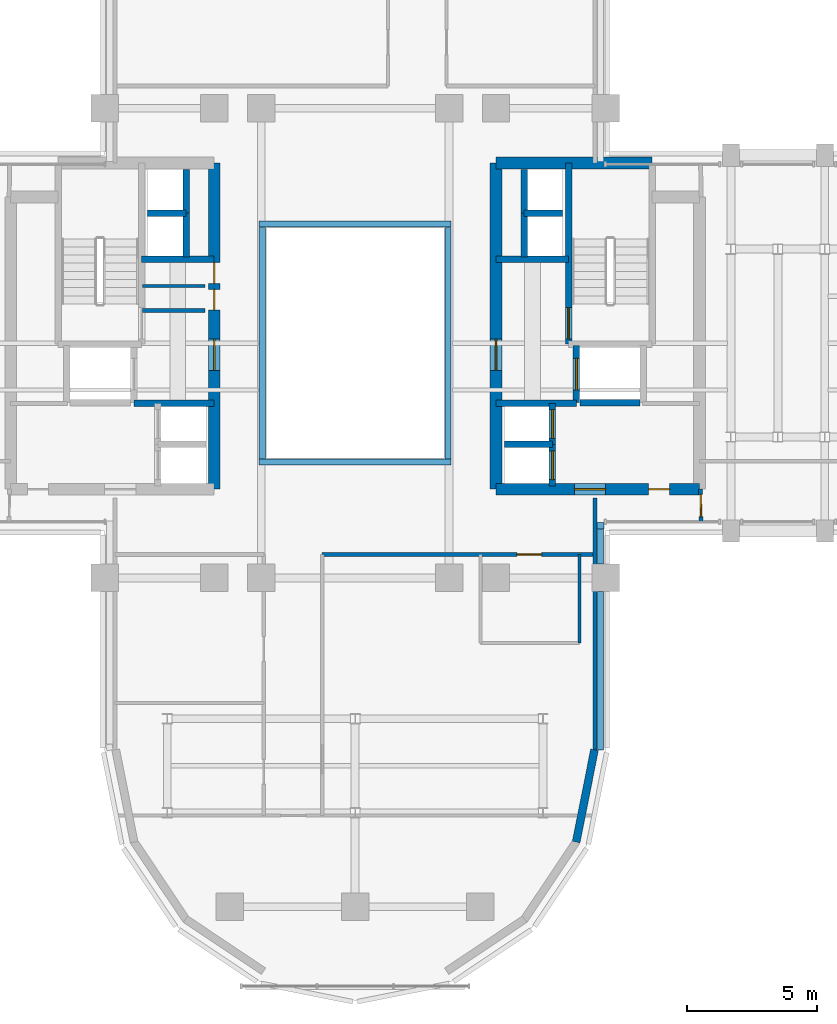
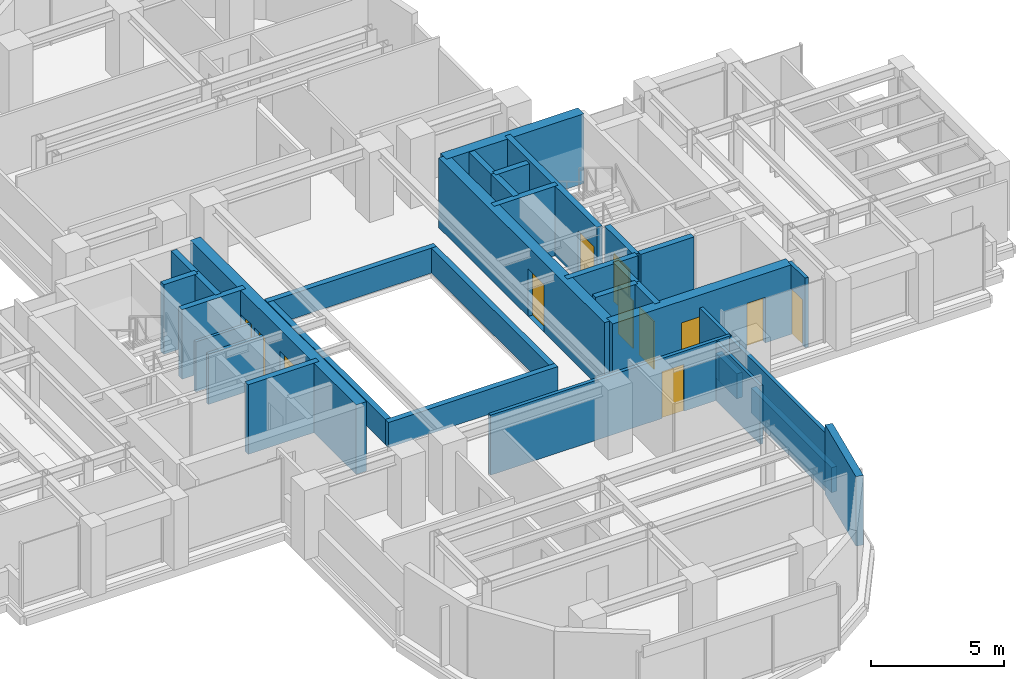
# One storey, part 9 of 14: 34 walls, 12 doors, 12 openings.
"""IFC4 building model written with IfcOpenShell, lengths in metres."""

from ifc_helpers import new_model, si_unit, direction, frame, frame_2d, origin, place, context, subcontext, project, spatial, rectangle, extrude, source, transform, mapped, material, layer, layer_set, type_object, element, fill, save


model = new_model("IFC4")

# Units and contexts
model_context = context("Model", 3, precision=1e-05, world=origin(), true_north=direction((0.0, 1.0)))
body_context = subcontext(model_context, "Body", "Model", "MODEL_VIEW")
ifc_project = project(units=[si_unit("LENGTHUNIT", "METRE"), si_unit("AREAUNIT", "SQUARE_METRE"), si_unit("VOLUMEUNIT", "CUBIC_METRE"), si_unit("PLANEANGLEUNIT", "RADIAN"), si_unit("MASSUNIT", "GRAM", prefix="KILO")], contexts=[model_context])

# Site, building, storey
site_placement = place(None, origin())
site = spatial("IfcSite", under=ifc_project, at=site_placement, CompositionType="ELEMENT")
building_placement = place(site_placement, origin())
building = spatial("IfcBuilding", under=site, at=building_placement, Name="Keilestroom Media Tower", CompositionType="ELEMENT")
storey_placement = place(building_placement, frame((0.0, 0.0, 110.800048828125)))
storey = spatial("IfcBuildingStorey", under=building, at=storey_placement, Name="L29", CompositionType="ELEMENT", Elevation=110.800048828125)

# Walls
ifc_material_1 = material(Name="Precast concrete C40/50", Category="concrete")
ifc_layer_1 = layer(ifc_material_1, 0.300048828125)
ifc_layer_set_1 = layer_set([ifc_layer_1], Name="Precast concrete C40/50")
wall_type_1 = type_object("IfcWallType", Name="Exterior-Masonry-Spandrel-Wall-300", PredefinedType="SOLIDWALL", material=ifc_layer_set_1)
wall_1_placement = place(storey_placement, frame((8.470703125, -19.12451171875, 0.0), z_axis=(0.0, 0.0, 1.0), x_axis=(0.195114232679, 0.980780523974, 0.0)))
element("IfcWall", 1, at=wall_1_placement, inside=storey, type_object=wall_type_1, Name="L29 Lobe Facet Precast Frame Wall 12", PredefinedType="SOLIDWALL", context=body_context, shape_type="SweptSolid", body=[
    extrude(rectangle(XDim=3.608642578125, YDim=0.300048828125, at=frame_2d((1.80419921875, 0.0))), origin(), (0.0, 0.0, 1.0), 3.199951171875),
])
ifc_material_2 = material(Name="Gypsum Plasterboard & Steel Stud", Category="steel")
ifc_layer_2 = layer(ifc_material_2, 0.1201171875)
ifc_layer_set_2 = layer_set([ifc_layer_2], Name="Gypsum Plasterboard & Steel Stud")
wall_type_2 = type_object("IfcWallType", Name="Interior-Partition-Wall-120", PredefinedType="PARTITIONING", material=ifc_layer_set_2)
wall_2_placement = place(storey_placement, frame((-8.139892578125, 2.179931640625, 0.0), z_axis=(0.0, 0.0, 1.0), x_axis=(1.0, 0.0, 0.0)))
element("IfcWall", 2, at=wall_2_placement, inside=storey, type_object=wall_type_2, Name="L29 Interior Wall WP-L29-CNW-N", PredefinedType="PARTITIONING", context=body_context, shape_type="SweptSolid", body=[
    extrude(rectangle(XDim=2.389892578125, YDim=0.1201171875, at=frame_2d((1.19482421875, 0.0))), origin(), (0.0, 0.0, 1.0), 2.300048828125),
])
wall_3_placement = place(storey_placement, frame((8.60009765625, -11.5, 0.0), z_axis=(0.0, 0.0, 1.0), x_axis=(0.0, 1.0, 0.0)))
element("IfcWall", 3, at=wall_3_placement, inside=storey, type_object=wall_type_2, Name="L29 Interior Wall WP-L29-SL-WC-E", PredefinedType="PARTITIONING", context=body_context, shape_type="SweptSolid", body=[
    extrude(rectangle(XDim=3.39990234375, YDim=0.1201171875, at=frame_2d((1.699951171875, 0.0))), origin(), (0.0, 0.0, 1.0), 2.699951171875),
])
ifc_layer_3 = layer(ifc_material_2, 0.14990234375)
ifc_layer_set_3 = layer_set([ifc_layer_3], Name="Gypsum Plasterboard & Steel Stud")
wall_type_3 = type_object("IfcWallType", Name="Interior-Partition-Wall-150", PredefinedType="PARTITIONING", material=ifc_layer_set_3)
wall_4_placement = place(storey_placement, frame((-8.139892578125, 1.239990234375, 0.0), z_axis=(0.0, 0.0, 1.0), x_axis=(1.0, 0.0, 0.0)))
element("IfcWall", 4, at=wall_4_placement, inside=storey, type_object=wall_type_3, Name="L29 Interior Wall WP-L29-FFW-TOP", PredefinedType="PARTITIONING", context=body_context, shape_type="SweptSolid", body=[
    extrude(rectangle(XDim=2.389892578125, YDim=0.14990234375, at=frame_2d((1.19482421875, 0.0))), origin(), (0.0, 0.0, 1.0), 2.300048828125),
])
wall_5_placement = place(storey_placement, frame((9.199951171875, -15.679931640625, 0.0), z_axis=(0.0, 0.0, 1.0), x_axis=(0.0, 1.0, 0.0)))
element("IfcWall", 5, at=wall_5_placement, inside=storey, type_object=wall_type_3, Name="L29 Interior Wall WP-L29-SL-CHKE", PredefinedType="PARTITIONING", context=body_context, shape_type="SweptSolid", body=[
    extrude(rectangle(XDim=9.739990234375, YDim=0.14990234375, at=frame_2d((4.8701171875, 0.0))), origin(), (0.0, 0.0, 1.0), 2.699951171875),
])

# Wall, opening, door
wall_6_placement = place(storey_placement, frame((-1.260009765625, -8.10009765625, 0.0), z_axis=(0.0, 0.0, 1.0), x_axis=(1.0, 0.0, 0.0)))
wall_6 = element("IfcWall", 6, at=wall_6_placement, inside=storey, type_object=wall_type_3, Name="L29 Interior Wall WP-L29-SL-BASE-E", PredefinedType="PARTITIONING", context=body_context, shape_type="SweptSolid", body=[
    extrude(rectangle(XDim=10.4599609375, YDim=0.14990234375, at=frame_2d((5.22998046875, 0.0))), origin(), (0.0, 0.0, 1.0), 2.760009765625),
])
opening_1_placement = place(wall_6_placement, frame((7.4599609375, 0.0, 0.0)))
opening_1 = element("IfcOpeningElement", 7, at=opening_1_placement, cuts=wall_6, Name="Opening DI-03", PredefinedType="OPENING", context=body_context, shape_type="SweptSolid", body=[
    extrude(rectangle(XDim=0.949951171875, YDim=2.14990234375, at=frame_2d((0.47509765625, 1.074951171875))), frame((0.0, 0.0849609375, 0.0), z_axis=(0.0, -1.0, 0.0), x_axis=(1.0, 0.0, 0.0)), (0.0, 0.0, 1.0), 0.169921875),
])
ifc_material_3 = material(Name="Lacquered European Oak Leaf", Category="wood")
door_type_1 = type_object("IfcDoorType", Name="Interior-Room-And-Suite-Door-DI-03", OperationType="NOTDEFINED", PredefinedType="DOOR", material=ifc_material_3)
shared_shape_1 = source(origin(), body_context, "Body", "SweptSolid", [
    extrude(rectangle(XDim=0.949951171875, YDim=2.14990234375, at=frame_2d((0.47509765625, 1.074951171875))), frame((0.0, 0.02490234375, 0.0), z_axis=(0.0, -1.0, 0.0), x_axis=(1.0, 0.0, 0.0)), (0.0, 0.0, 1.0), 0.050048828125),
])
door_1_placement = place(opening_1_placement, origin())
door_1 = element("IfcDoor", 8, at=door_1_placement, inside=storey, type_object=door_type_1, Name="L29 Interior Door DI-L29-DSL-WC", OperationType="SINGLE_SWING_LEFT", OverallHeight=2.14990234375, OverallWidth=0.949951171875, PredefinedType="DOOR", context=body_context, shape_type="MappedRepresentation", body=[
    mapped(shared_shape_1, transform((0.0, 0.0, 0.0), x_axis=(1.0, 0.0, 0.0), y_axis=(0.0, 1.0, 0.0), z_axis=(0.0, 0.0, 1.0), scale=1.0)),
])
fill(opening_1, door_1)

wall_7_placement = place(storey_placement, frame((13.260009765625, -6.85009765625, 0.0), z_axis=(0.0, 0.0, 1.0), x_axis=(-0.016013571389, 0.999871774545, 0.0)))
wall_7 = element("IfcWall", 9, at=wall_7_placement, inside=storey, type_object=wall_type_3, Name="L29 Interior Wall WP-L29-EA-ENTS", PredefinedType="PARTITIONING", context=body_context, shape_type="SweptSolid", body=[
    extrude(rectangle(XDim=1.250244140625, YDim=0.14990234375, at=frame_2d((0.625, 0.0))), origin(), (0.0, 0.0, 1.0), 3.199951171875),
])
opening_2_placement = place(wall_7_placement, frame((0.199951171875, 0.0, 0.0)))
opening_2 = element("IfcOpeningElement", 10, at=opening_2_placement, cuts=wall_7, Name="Opening DI-05", PredefinedType="OPENING", context=body_context, shape_type="SweptSolid", body=[
    extrude(rectangle(XDim=0.85009765625, YDim=2.10009765625, at=frame_2d((0.425048828125, 1.050048828125))), frame((0.0, 0.0849609375, 0.0), z_axis=(0.0, -1.0, 0.0), x_axis=(1.0, 0.0, 0.0)), (0.0, 0.0, 1.0), 0.169921875),
])
ifc_material_4 = material(Name="Moisture-Resistant Oak Leaf", Category="wood")
door_type_2 = type_object("IfcDoorType", Name="Interior-En-Suite-And-Cupboard-Door-DI-05", OperationType="NOTDEFINED", PredefinedType="DOOR", material=ifc_material_4)
shared_shape_2 = source(origin(), body_context, "Body", "SweptSolid", [
    extrude(rectangle(XDim=0.85009765625, YDim=2.10009765625, at=frame_2d((0.425048828125, 1.050048828125))), frame((0.0, 0.02490234375, 0.0), z_axis=(0.0, -1.0, 0.0), x_axis=(1.0, 0.0, 0.0)), (0.0, 0.0, 1.0), 0.050048828125),
])
door_2_placement = place(opening_2_placement, origin())
door_2 = element("IfcDoor", 11, at=door_2_placement, inside=storey, type_object=door_type_2, Name="L29 Interior Door DI-L29-DEA-ENTS", OperationType="SINGLE_SWING_LEFT", OverallHeight=2.10009765625, OverallWidth=0.85009765625, PredefinedType="DOOR", context=body_context, shape_type="MappedRepresentation", body=[
    mapped(shared_shape_2, transform((0.0, 0.0, 0.0), x_axis=(1.0, 0.0, 0.0), y_axis=(0.0, 1.0, 0.0), z_axis=(0.0, 0.0, 1.0), scale=1.0)),
])
fill(opening_2, door_2)

# Wall, openings, doors
ifc_material_5 = material(Name="Concrete C55/67", Category="concrete")
ifc_layer_4 = layer(ifc_material_5, 0.449951171875)
ifc_layer_set_4 = layer_set([ifc_layer_4], Name="Concrete C55/67")
wall_type_4 = type_object("IfcWallType", Name="Reinforced-Concrete-Core-Shear-Wall-450", PredefinedType="SHEAR", material=ifc_layer_set_4)
wall_8_placement = place(storey_placement, frame((-5.39990234375, -5.60009765625, 0.0), z_axis=(0.0, 0.0, 1.0), x_axis=(0.0, 1.0, 0.0)))
wall_8 = element("IfcWall", 12, at=wall_8_placement, inside=storey, type_object=wall_type_4, Name="L29 Core Shear Wall WL-L29-CORE-W-IN", PredefinedType="SHEAR", context=body_context, shape_type="SweptSolid", body=[
    extrude(rectangle(XDim=12.5, YDim=0.449951171875, at=frame_2d((6.25, 0.0))), origin(), (0.0, 0.0, 1.0), 3.199951171875),
])
opening_3_placement = place(wall_8_placement, frame((4.550048828125, 0.0, 0.0)))
opening_3 = element("IfcOpeningElement", 13, at=opening_3_placement, cuts=wall_8, Name="Opening DI-02", PredefinedType="OPENING", context=body_context, shape_type="SweptSolid", body=[
    extrude(rectangle(XDim=1.199951171875, YDim=2.199951171875, at=frame_2d((0.60009765625, 1.10009765625))), frame((0.0, 0.23486328125, 0.0), z_axis=(0.0, -1.0, 0.0), x_axis=(1.0, 0.0, 0.0)), (0.0, 0.0, 1.0), 0.469970703125),
])
opening_4_placement = place(wall_8_placement, frame((6.860107421875, 0.0, 0.0)))
opening_4 = element("IfcOpeningElement", 14, at=opening_4_placement, cuts=wall_8, Name="Opening DI-06", PredefinedType="OPENING", context=body_context, shape_type="SweptSolid", body=[
    extrude(rectangle(XDim=0.800048828125, YDim=2.10009765625, at=frame_2d((0.39990234375, 1.050048828125))), frame((0.0, 0.23486328125, 0.0), z_axis=(0.0, -1.0, 0.0), x_axis=(1.0, 0.0, 0.0)), (0.0, 0.0, 1.0), 0.469970703125),
])
opening_5_placement = place(wall_8_placement, frame((7.8798828125, 0.0, 0.0)))
opening_5 = element("IfcOpeningElement", 15, at=opening_5_placement, cuts=wall_8, Name="Opening DI-06", PredefinedType="OPENING", context=body_context, shape_type="SweptSolid", body=[
    extrude(rectangle(XDim=0.800048828125, YDim=2.10009765625, at=frame_2d((0.39990234375, 1.050048828125))), frame((0.0, 0.23486328125, 0.0), z_axis=(0.0, -1.0, 0.0), x_axis=(1.0, 0.0, 0.0)), (0.0, 0.0, 1.0), 0.469970703125),
])
ifc_material_6 = material(Name="Powder-Coated Steel Fire Leaf", Category="steel")
door_type_3 = type_object("IfcDoorType", Name="Interior-Compartment-Fire-Door-DI-02", OperationType="NOTDEFINED", PredefinedType="DOOR", material=ifc_material_6)
shared_shape_3 = source(origin(), body_context, "Body", "SweptSolid", [
    extrude(rectangle(XDim=1.199951171875, YDim=2.199951171875, at=frame_2d((0.60009765625, 1.10009765625))), frame((0.0, 0.02490234375, 0.0), z_axis=(0.0, -1.0, 0.0), x_axis=(1.0, 0.0, 0.0)), (0.0, 0.0, 1.0), 0.050048828125),
])
door_3_placement = place(opening_3_placement, origin())
door_3 = element("IfcDoor", 16, at=door_3_placement, inside=storey, type_object=door_type_3, Name="L29 W Firefighting Lobby Door", OperationType="SINGLE_SWING_RIGHT", OverallHeight=2.199951171875, OverallWidth=1.199951171875, PredefinedType="DOOR", context=body_context, shape_type="MappedRepresentation", body=[
    mapped(shared_shape_3, transform((0.0, 0.0, 0.0), x_axis=(1.0, 0.0, 0.0), y_axis=(0.0, 1.0, 0.0), z_axis=(0.0, 0.0, 1.0), scale=1.0)),
])
fill(opening_3, door_3)
ifc_material_7 = material(Name="Powder-Coated Steel Service Leaf", Category="steel")
door_type_4 = type_object("IfcDoorType", Name="Interior-Riser-Access-Door-DI-06", OperationType="NOTDEFINED", PredefinedType="DOOR", material=ifc_material_7)
shared_shape_4 = source(origin(), body_context, "Body", "SweptSolid", [
    extrude(rectangle(XDim=0.800048828125, YDim=2.10009765625, at=frame_2d((0.39990234375, 1.050048828125))), frame((0.0, 0.02490234375, 0.0), z_axis=(0.0, -1.0, 0.0), x_axis=(1.0, 0.0, 0.0)), (0.0, 0.0, 1.0), 0.050048828125),
])
door_4_placement = place(opening_4_placement, origin())
door_4 = element("IfcDoor", 17, at=door_4_placement, inside=storey, type_object=door_type_4, Name="L29 West Core Switchroom Door", OperationType="SINGLE_SWING_LEFT", OverallHeight=2.10009765625, OverallWidth=0.800048828125, PredefinedType="DOOR", context=body_context, shape_type="MappedRepresentation", body=[
    mapped(shared_shape_4, transform((0.0, 0.0, 0.0), x_axis=(1.0, 0.0, 0.0), y_axis=(0.0, 1.0, 0.0), z_axis=(0.0, 0.0, 1.0), scale=1.0)),
])
fill(opening_4, door_4)
door_5_placement = place(opening_5_placement, origin())
door_5 = element("IfcDoor", 18, at=door_5_placement, inside=storey, type_object=door_type_4, Name="L29 West Core Closet Door", OperationType="SINGLE_SWING_LEFT", OverallHeight=2.10009765625, OverallWidth=0.800048828125, PredefinedType="DOOR", context=body_context, shape_type="MappedRepresentation", body=[
    mapped(shared_shape_4, transform((0.0, 0.0, 0.0), x_axis=(1.0, 0.0, 0.0), y_axis=(0.0, 1.0, 0.0), z_axis=(0.0, 0.0, 1.0), scale=1.0)),
])
fill(opening_5, door_5)

# Wall, opening, door
wall_9_placement = place(storey_placement, frame((5.39990234375, -5.60009765625, 0.0), z_axis=(0.0, 0.0, 1.0), x_axis=(0.0, 1.0, 0.0)))
wall_9 = element("IfcWall", 19, at=wall_9_placement, inside=storey, type_object=wall_type_4, Name="L29 Core Shear Wall WL-L29-CORE-E-IN", PredefinedType="SHEAR", context=body_context, shape_type="SweptSolid", body=[
    extrude(rectangle(XDim=12.5, YDim=0.449951171875, at=frame_2d((6.25, 0.0))), origin(), (0.0, 0.0, 1.0), 3.199951171875),
])
opening_6_placement = place(wall_9_placement, frame((4.550048828125, 0.0, 0.0)))
opening_6 = element("IfcOpeningElement", 20, at=opening_6_placement, cuts=wall_9, Name="Opening DI-02", PredefinedType="OPENING", context=body_context, shape_type="SweptSolid", body=[
    extrude(rectangle(XDim=1.199951171875, YDim=2.199951171875, at=frame_2d((0.60009765625, 1.10009765625))), frame((0.0, 0.23486328125, 0.0), z_axis=(0.0, -1.0, 0.0), x_axis=(1.0, 0.0, 0.0)), (0.0, 0.0, 1.0), 0.469970703125),
])
door_6_placement = place(opening_6_placement, origin())
door_6 = element("IfcDoor", 21, at=door_6_placement, inside=storey, type_object=door_type_3, Name="L29 E Firefighting Lobby Door", OperationType="SINGLE_SWING_LEFT", OverallHeight=2.199951171875, OverallWidth=1.199951171875, PredefinedType="DOOR", context=body_context, shape_type="MappedRepresentation", body=[
    mapped(shared_shape_3, transform((0.0, 0.0, 0.0), x_axis=(1.0, 0.0, 0.0), y_axis=(0.0, 1.0, 0.0), z_axis=(0.0, 0.0, 1.0), scale=1.0)),
])
fill(opening_6, door_6)

# Wall
wall_10_placement = place(storey_placement, frame((5.39990234375, 6.89990234375, 0.0), z_axis=(0.0, 0.0, 1.0), x_axis=(1.0, 0.0, 0.0)))
element("IfcWall", 22, at=wall_10_placement, inside=storey, type_object=wall_type_4, Name="L29 Core Shear Wall WL-L29-CORE-E-N", PredefinedType="SHEAR", context=body_context, shape_type="SweptSolid", body=[
    extrude(rectangle(XDim=5.981201171875, YDim=0.449951171875, at=frame_2d((2.99072265625, 0.0))), origin(), (0.0, 0.0, 1.0), 3.199951171875),
])

# Wall, openings, doors
wall_11_placement = place(storey_placement, frame((5.39990234375, -5.60009765625, 0.0), z_axis=(0.0, 0.0, 1.0), x_axis=(1.0, 0.0, 0.0)))
wall_11 = element("IfcWall", 23, at=wall_11_placement, inside=storey, type_object=wall_type_4, Name="L29 Core Shear Wall WL-L29-CORE-E-S", PredefinedType="SHEAR", context=body_context, shape_type="SweptSolid", body=[
    extrude(rectangle(XDim=7.800048828125, YDim=0.449951171875, at=frame_2d((3.89990234375, 0.0))), origin(), (0.0, 0.0, 1.0), 3.199951171875),
])
opening_7_placement = place(wall_11_placement, frame((3.0, 0.0, 0.0)))
opening_7 = element("IfcOpeningElement", 24, at=opening_7_placement, cuts=wall_11, Name="Opening DI-02", PredefinedType="OPENING", context=body_context, shape_type="SweptSolid", body=[
    extrude(rectangle(XDim=1.199951171875, YDim=2.199951171875, at=frame_2d((0.60009765625, 1.10009765625))), frame((0.0, 0.23486328125, 0.0), z_axis=(0.0, -1.0, 0.0), x_axis=(1.0, 0.0, 0.0)), (0.0, 0.0, 1.0), 0.469970703125),
])
opening_8_placement = place(wall_11_placement, frame((5.85009765625, 0.0, 0.0)))
opening_8 = element("IfcOpeningElement", 25, at=opening_8_placement, cuts=wall_11, Name="Opening DI-06", PredefinedType="OPENING", context=body_context, shape_type="SweptSolid", body=[
    extrude(rectangle(XDim=0.800048828125, YDim=2.10009765625, at=frame_2d((0.39990234375, 1.050048828125))), frame((0.0, 0.23486328125, 0.0), z_axis=(0.0, -1.0, 0.0), x_axis=(1.0, 0.0, 0.0)), (0.0, 0.0, 1.0), 0.469970703125),
])
door_7_placement = place(opening_7_placement, origin())
door_7 = element("IfcDoor", 26, at=door_7_placement, inside=storey, type_object=door_type_3, Name="L29 E Passenger Lift Lobby Door", OperationType="SINGLE_SWING_RIGHT", OverallHeight=2.199951171875, OverallWidth=1.199951171875, PredefinedType="DOOR", context=body_context, shape_type="MappedRepresentation", body=[
    mapped(shared_shape_3, transform((0.0, 0.0, 0.0), x_axis=(1.0, 0.0, 0.0), y_axis=(0.0, 1.0, 0.0), z_axis=(0.0, 0.0, 1.0), scale=1.0)),
])
fill(opening_7, door_7)
door_8_placement = place(opening_8_placement, origin())
door_8 = element("IfcDoor", 27, at=door_8_placement, inside=storey, type_object=door_type_4, Name="L29 Reclaimed East Core Room Door", OperationType="SINGLE_SWING_RIGHT", OverallHeight=2.10009765625, OverallWidth=0.800048828125, PredefinedType="DOOR", context=body_context, shape_type="MappedRepresentation", body=[
    mapped(shared_shape_4, transform((0.0, 0.0, 0.0), x_axis=(1.0, 0.0, 0.0), y_axis=(0.0, 1.0, 0.0), z_axis=(0.0, 0.0, 1.0), scale=1.0)),
])
fill(opening_8, door_8)

# Walls
ifc_material_8 = material(Name="Concrete C50/60", Category="concrete")
ifc_layer_5 = layer(ifc_material_8, 0.25)
ifc_layer_set_5 = layer_set([ifc_layer_5], Name="Concrete C50/60")
wall_type_5 = type_object("IfcWallType", Name="Reinforced-Concrete-Shaft-Wall-250", PredefinedType="SOLIDWALL", material=ifc_layer_set_5)
wall_12_placement = place(storey_placement, frame((-8.179931640625, 3.219970703125, 0.0), z_axis=(0.0, 0.0, 1.0), x_axis=(1.0, 0.0, 0.0)))
element("IfcWall", 28, at=wall_12_placement, inside=storey, type_object=wall_type_5, Name="L29 Core Shear Wall WL-L29-CORE-W-FFN", PredefinedType="SOLIDWALL", context=body_context, shape_type="SweptSolid", body=[
    extrude(rectangle(XDim=2.780029296875, YDim=0.25, at=frame_2d((1.39013671875, 0.0))), origin(), (0.0, 0.0, 1.0), 3.199951171875),
])
wall_13_placement = place(storey_placement, frame((-8.47998046875, -2.300048828125, 0.0), z_axis=(0.0, 0.0, 1.0), x_axis=(1.0, 0.0, 0.0)))
element("IfcWall", 29, at=wall_13_placement, inside=storey, type_object=wall_type_5, Name="L29 Core Shear Wall WL-L29-CORE-W-FFS", PredefinedType="SOLIDWALL", context=body_context, shape_type="SweptSolid", body=[
    extrude(rectangle(XDim=3.080078125, YDim=0.25, at=frame_2d((1.5400390625, 0.0))), origin(), (0.0, 0.0, 1.0), 3.199951171875),
])
wall_14_placement = place(storey_placement, frame((5.39990234375, 3.219970703125, 0.0), z_axis=(0.0, 0.0, 1.0), x_axis=(1.0, 0.0, 0.0)))
element("IfcWall", 30, at=wall_14_placement, inside=storey, type_object=wall_type_5, Name="L29 Core Shear Wall WL-L29-CORE-E-FFN", PredefinedType="SOLIDWALL", context=body_context, shape_type="SweptSolid", body=[
    extrude(rectangle(XDim=2.780029296875, YDim=0.25, at=frame_2d((1.39013671875, 0.0))), origin(), (0.0, 0.0, 1.0), 3.199951171875),
])
wall_15_placement = place(storey_placement, frame((5.39990234375, -2.300048828125, 0.0), z_axis=(0.0, 0.0, 1.0), x_axis=(1.0, 0.0, 0.0)))
element("IfcWall", 31, at=wall_15_placement, inside=storey, type_object=wall_type_5, Name="L29 Core Shear Wall WL-L29-CORE-E-FFS", PredefinedType="SOLIDWALL", context=body_context, shape_type="SweptSolid", body=[
    extrude(rectangle(XDim=3.080078125, YDim=0.25, at=frame_2d((1.5400390625, 0.0))), origin(), (0.0, 0.0, 1.0), 3.199951171875),
])

# Wall, opening, door
wall_16_placement = place(storey_placement, frame((8.178955078125, -0.041015625, 0.0), z_axis=(0.0, 0.0, 1.0), x_axis=(0.0, 1.0, 0.0)))
wall_16 = element("IfcWall", 32, at=wall_16_placement, inside=storey, type_object=wall_type_5, Name="L29 Core Shear Wall WL-L29-STW-E-NEAR", PredefinedType="SOLIDWALL", context=body_context, shape_type="SweptSolid", body=[
    extrude(rectangle(XDim=6.94091796875, YDim=0.25, at=frame_2d((3.470458984375, 0.0))), origin(), (0.0, 0.0, 1.0), 3.199951171875),
])
opening_9_placement = place(wall_16_placement, frame((0.199951171875, 0.0, 0.0)))
opening_9 = element("IfcOpeningElement", 33, at=opening_9_placement, cuts=wall_16, Name="Opening DI-01S", PredefinedType="OPENING", context=body_context, shape_type="SweptSolid", body=[
    extrude(rectangle(XDim=1.199951171875, YDim=2.199951171875, at=frame_2d((0.60009765625, 1.10009765625))), frame((0.0, 0.135009765625, 0.0), z_axis=(0.0, -1.0, 0.0), x_axis=(1.0, 0.0, 0.0)), (0.0, 0.0, 1.0), 0.27001953125),
])
door_type_5 = type_object("IfcDoorType", Name="Interior-Stair-And-Core-Fire-Door-DI-01", OperationType="NOTDEFINED", PredefinedType="DOOR", material=ifc_material_6)
door_9_placement = place(opening_9_placement, origin())
door_9 = element("IfcDoor", 34, at=door_9_placement, inside=storey, type_object=door_type_5, Name="L29 Escape Stair ST-2 Fire Door", OperationType="SINGLE_SWING_RIGHT", OverallHeight=2.199951171875, OverallWidth=1.199951171875, PredefinedType="DOOR", context=body_context, shape_type="MappedRepresentation", body=[
    mapped(shared_shape_3, transform((0.0, 0.0, 0.0), x_axis=(1.0, 0.0, 0.0), y_axis=(0.0, 1.0, 0.0), z_axis=(0.0, 0.0, 1.0), scale=1.0)),
])
fill(opening_9, door_9)

wall_17_placement = place(storey_placement, frame((8.47998046875, -2.280029296875, 0.0), z_axis=(0.0, 0.0, 1.0), x_axis=(0.0, 1.0, 0.0)))
wall_17 = element("IfcWall", 35, at=wall_17_placement, inside=storey, type_object=wall_type_5, Name="L29 Core Shear Wall WL-L29-LSH-FFL-2-W", PredefinedType="SOLIDWALL", context=body_context, shape_type="SweptSolid", body=[
    extrude(rectangle(XDim=2.179931640625, YDim=0.25, at=frame_2d((1.08984375, 0.0))), origin(), (0.0, 0.0, 1.0), 3.199951171875),
])
opening_10_placement = place(wall_17_placement, frame((0.489990234375, 0.0, 0.0)))
opening_10 = element("IfcOpeningElement", 36, at=opening_10_placement, cuts=wall_17, Name="Opening LD-02", PredefinedType="OPENING", context=body_context, shape_type="SweptSolid", body=[
    extrude(rectangle(XDim=1.199951171875, YDim=2.199951171875, at=frame_2d((0.60009765625, 1.10009765625))), frame((0.0, 0.135009765625, 0.0), z_axis=(0.0, -1.0, 0.0), x_axis=(1.0, 0.0, 0.0)), (0.0, 0.0, 1.0), 0.27001953125),
])
ifc_material_9 = material(Name="Brushed Stainless Steel Sliding Leaf", Category="steel")
door_type_6 = type_object("IfcDoorType", Name="Lift-Landing-Sliding-Door-LD-02", OperationType="SLIDING_TO_RIGHT", PredefinedType="DOOR", material=ifc_material_9)
door_10_placement = place(opening_10_placement, origin())
door_10 = element("IfcDoor", 37, at=door_10_placement, inside=storey, type_object=door_type_6, Name="L29 Lift FFL-2 Landing Sliding Door", OperationType="SLIDING_TO_RIGHT", OverallHeight=2.199951171875, OverallWidth=1.199951171875, PredefinedType="DOOR", context=body_context, shape_type="MappedRepresentation", body=[
    mapped(shared_shape_3, transform((0.0, 0.0, 0.0), x_axis=(1.0, 0.0, 0.0), y_axis=(0.0, 1.0, 0.0), z_axis=(0.0, 0.0, 1.0), scale=1.0)),
])
fill(opening_10, door_10)

# Wall
wall_18_placement = place(storey_placement, frame((8.60888671875, -2.280029296875, 0.0), z_axis=(0.0, 0.0, 1.0), x_axis=(1.0, 0.0, 0.0)))
element("IfcWall", 38, at=wall_18_placement, inside=storey, type_object=wall_type_5, Name="L29 Core Shear Wall WL-L29-LSH-FFL-2-S", PredefinedType="SOLIDWALL", context=body_context, shape_type="SweptSolid", body=[
    extrude(rectangle(XDim=2.31201171875, YDim=0.25, at=frame_2d((1.156005859375, 0.0))), origin(), (0.0, 0.0, 1.0), 3.199951171875),
])

# Wall, opening, door
wall_19_placement = place(storey_placement, frame((7.56005859375, -5.47998046875, 0.0), z_axis=(0.0, 0.0, 1.0), x_axis=(0.0, 1.0, 0.0)))
wall_19 = element("IfcWall", 39, at=wall_19_placement, inside=storey, type_object=wall_type_5, Name="L29 Core Shear Wall WL-L29-LSH-PL-M3-E", PredefinedType="SOLIDWALL", context=body_context, shape_type="SweptSolid", body=[
    extrude(rectangle(XDim=1.60009765625, YDim=0.25, at=frame_2d((0.800048828125, 0.0))), origin(), (0.0, 0.0, 1.0), 3.199951171875),
])
opening_11_placement = place(wall_19_placement, frame((0.25, 0.0, 0.0)))
opening_11 = element("IfcOpeningElement", 40, at=opening_11_placement, cuts=wall_19, Name="Opening LD-01", PredefinedType="OPENING", context=body_context, shape_type="SweptSolid", body=[
    extrude(rectangle(XDim=1.10009765625, YDim=2.199951171875, at=frame_2d((0.550048828125, 1.10009765625))), frame((0.0, 0.135009765625, 0.0), z_axis=(0.0, -1.0, 0.0), x_axis=(1.0, 0.0, 0.0)), (0.0, 0.0, 1.0), 0.27001953125),
])
door_type_7 = type_object("IfcDoorType", Name="Lift-Landing-Sliding-Door-LD-01", OperationType="SLIDING_TO_LEFT", PredefinedType="DOOR", material=ifc_material_9)
shared_shape_5 = source(origin(), body_context, "Body", "SweptSolid", [
    extrude(rectangle(XDim=1.10009765625, YDim=2.199951171875, at=frame_2d((0.550048828125, 1.10009765625))), frame((0.0, 0.02490234375, 0.0), z_axis=(0.0, -1.0, 0.0), x_axis=(1.0, 0.0, 0.0)), (0.0, 0.0, 1.0), 0.050048828125),
])
door_11_placement = place(opening_11_placement, origin())
door_11 = element("IfcDoor", 41, at=door_11_placement, inside=storey, type_object=door_type_7, Name="L29 Lift PL-M3 Landing Sliding Door", OperationType="SLIDING_TO_LEFT", OverallHeight=2.199951171875, OverallWidth=1.10009765625, PredefinedType="DOOR", context=body_context, shape_type="MappedRepresentation", body=[
    mapped(shared_shape_5, transform((0.0, 0.0, 0.0), x_axis=(1.0, 0.0, 0.0), y_axis=(0.0, 1.0, 0.0), z_axis=(0.0, 0.0, 1.0), scale=1.0)),
])
fill(opening_11, door_11)

# Wall
wall_20_placement = place(storey_placement, frame((5.719970703125, -3.8798828125, 0.0), z_axis=(0.0, 0.0, 1.0), x_axis=(1.0, 0.0, 0.0)))
element("IfcWall", 42, at=wall_20_placement, inside=storey, type_object=wall_type_5, Name="L29 Core Shear Wall WL-L29-LSH-PL-M3-N", PredefinedType="SOLIDWALL", context=body_context, shape_type="SweptSolid", body=[
    extrude(rectangle(XDim=1.840087890625, YDim=0.25, at=frame_2d((0.919921875, 0.0))), origin(), (0.0, 0.0, 1.0), 3.199951171875),
])

# Wall, opening, door
wall_21_placement = place(storey_placement, frame((7.56005859375, -3.8798828125, 0.0), z_axis=(0.0, 0.0, 1.0), x_axis=(0.0, 1.0, 0.0)))
wall_21 = element("IfcWall", 43, at=wall_21_placement, inside=storey, type_object=wall_type_5, Name="L29 Core Shear Wall WL-L29-LSH-PL-M4-E", PredefinedType="SOLIDWALL", context=body_context, shape_type="SweptSolid", body=[
    extrude(rectangle(XDim=1.559814453125, YDim=0.25, at=frame_2d((0.77978515625, 0.0))), origin(), (0.0, 0.0, 1.0), 3.199951171875),
])
opening_12_placement = place(wall_21_placement, frame((0.22998046875, 0.0, 0.0)))
opening_12 = element("IfcOpeningElement", 44, at=opening_12_placement, cuts=wall_21, Name="Opening LD-01", PredefinedType="OPENING", context=body_context, shape_type="SweptSolid", body=[
    extrude(rectangle(XDim=1.10009765625, YDim=2.199951171875, at=frame_2d((0.550048828125, 1.10009765625))), frame((0.0, 0.135009765625, 0.0), z_axis=(0.0, -1.0, 0.0), x_axis=(1.0, 0.0, 0.0)), (0.0, 0.0, 1.0), 0.27001953125),
])
door_12_placement = place(opening_12_placement, origin())
door_12 = element("IfcDoor", 45, at=door_12_placement, inside=storey, type_object=door_type_7, Name="L29 Lift PL-M4 Landing Sliding Door", OperationType="SLIDING_TO_LEFT", OverallHeight=2.199951171875, OverallWidth=1.10009765625, PredefinedType="DOOR", context=body_context, shape_type="MappedRepresentation", body=[
    mapped(shared_shape_5, transform((0.0, 0.0, 0.0), x_axis=(1.0, 0.0, 0.0), y_axis=(0.0, 1.0, 0.0), z_axis=(0.0, 0.0, 1.0), scale=1.0)),
])
fill(opening_12, door_12)

# Walls
wall_22_placement = place(storey_placement, frame((-6.47998046875, 3.300048828125, 0.0), z_axis=(0.0, 0.0, 1.0), x_axis=(0.0, 1.0, 0.0)))
element("IfcWall", 46, at=wall_22_placement, inside=storey, type_object=wall_type_5, Name="L29 Core Shear Wall WL-L29-LSH-PL-H1-E", PredefinedType="SOLIDWALL", context=body_context, shape_type="SweptSolid", body=[
    extrude(rectangle(XDim=1.679931640625, YDim=0.25, at=frame_2d((0.83984375, 0.0))), origin(), (0.0, 0.0, 1.0), 3.199951171875),
])
wall_23_placement = place(storey_placement, frame((-7.949951171875, 4.97998046875, 0.0), z_axis=(0.0, 0.0, 1.0), x_axis=(1.0, 0.0, 0.0)))
element("IfcWall", 47, at=wall_23_placement, inside=storey, type_object=wall_type_5, Name="L29 Core Shear Wall WL-L29-LSH-PL-H1-N", PredefinedType="SOLIDWALL", context=body_context, shape_type="SweptSolid", body=[
    extrude(rectangle(XDim=1.469970703125, YDim=0.25, at=frame_2d((0.73486328125, 0.0))), origin(), (0.0, 0.0, 1.0), 3.199951171875),
])
wall_24_placement = place(storey_placement, frame((-6.47998046875, 4.97998046875, 0.0), z_axis=(0.0, 0.0, 1.0), x_axis=(0.0, 1.0, 0.0)))
element("IfcWall", 48, at=wall_24_placement, inside=storey, type_object=wall_type_5, Name="L29 Core Shear Wall WL-L29-LSH-PL-H2-E", PredefinedType="SOLIDWALL", context=body_context, shape_type="SweptSolid", body=[
    extrude(rectangle(XDim=1.669921875, YDim=0.25, at=frame_2d((0.8349609375, 0.0))), origin(), (0.0, 0.0, 1.0), 3.199951171875),
])
wall_25_placement = place(storey_placement, frame((6.47998046875, 3.300048828125, 0.0), z_axis=(0.0, 0.0, 1.0), x_axis=(0.0, 1.0, 0.0)))
element("IfcWall", 49, at=wall_25_placement, inside=storey, type_object=wall_type_5, Name="L29 Core Shear Wall WL-L29-LSH-PL-H3-W", PredefinedType="SOLIDWALL", context=body_context, shape_type="SweptSolid", body=[
    extrude(rectangle(XDim=1.679931640625, YDim=0.25, at=frame_2d((0.83984375, 0.0))), origin(), (0.0, 0.0, 1.0), 3.199951171875),
])
wall_26_placement = place(storey_placement, frame((6.47998046875, 4.97998046875, 0.0), z_axis=(0.0, 0.0, 1.0), x_axis=(1.0, 0.0, 0.0)))
element("IfcWall", 50, at=wall_26_placement, inside=storey, type_object=wall_type_5, Name="L29 Core Shear Wall WL-L29-LSH-PL-H3-N", PredefinedType="SOLIDWALL", context=body_context, shape_type="SweptSolid", body=[
    extrude(rectangle(XDim=1.469970703125, YDim=0.25, at=frame_2d((0.73486328125, 0.0))), origin(), (0.0, 0.0, 1.0), 3.199951171875),
])
wall_27_placement = place(storey_placement, frame((6.47998046875, 4.97998046875, 0.0), z_axis=(0.0, 0.0, 1.0), x_axis=(0.0, 1.0, 0.0)))
element("IfcWall", 51, at=wall_27_placement, inside=storey, type_object=wall_type_5, Name="L29 Core Shear Wall WL-L29-LSH-PL-H4-W", PredefinedType="SOLIDWALL", context=body_context, shape_type="SweptSolid", body=[
    extrude(rectangle(XDim=1.669921875, YDim=0.25, at=frame_2d((0.8349609375, 0.0))), origin(), (0.0, 0.0, 1.0), 3.199951171875),
])
ifc_layer_6 = layer(ifc_material_1, 0.239990234375)
ifc_layer_set_6 = layer_set([ifc_layer_6], Name="Precast concrete C40/50")
wall_type_6 = type_object("IfcWallType", Name="Roof-And-Terrace-Parapet-Wall-240", PredefinedType="PARAPET", material=ifc_layer_set_6)
wall_28_placement = place(storey_placement, frame((9.547119140625, -7.0, 0.0), z_axis=(0.0, 0.0, 1.0), x_axis=(-1.0, 0.0, 0.0)))
element("IfcWall", 52, at=wall_28_placement, inside=storey, type_object=wall_type_6, Name="L29 Perimeter Edge Parapet Wall 04", PredefinedType="PARAPET", context=body_context, shape_type="SweptSolid", body=[
    extrude(rectangle(XDim=0.26904296875, YDim=0.239990234375, at=frame_2d((0.134521484375, 0.0))), origin(), (0.0, 0.0, 1.0), 1.14990234375),
])
wall_29_placement = place(storey_placement, frame((9.39990234375, -7.123046875, 0.0), z_axis=(0.0, 0.0, 1.0), x_axis=(0.0, -1.0, 0.0)))
element("IfcWall", 53, at=wall_29_placement, inside=storey, type_object=wall_type_6, Name="L29 Perimeter Edge Parapet Wall 05", PredefinedType="PARAPET", context=body_context, shape_type="SweptSolid", body=[
    extrude(rectangle(XDim=1.348876953125, YDim=0.239990234375, at=frame_2d((0.67431640625, 0.0))), origin(), (0.0, 0.0, 1.0), 1.14990234375),
])
wall_30_placement = place(storey_placement, frame((9.39990234375, -9.528076171875, 0.0), z_axis=(0.0, 0.0, 1.0), x_axis=(0.0, -1.0, 0.0)))
element("IfcWall", 54, at=wall_30_placement, inside=storey, type_object=wall_type_6, Name="L29 Perimeter Edge Parapet Wall 06", PredefinedType="PARAPET", context=body_context, shape_type="SweptSolid", body=[
    extrude(rectangle(XDim=6.07470703125, YDim=0.239990234375, at=frame_2d((3.037353515625, 0.0))), origin(), (0.0, 0.0, 1.0), 1.14990234375),
])
for number, where, z_axis, x_axis, name in (
    (55, (-3.679931640625, -4.56005859375, 0.0), (0.0, 0.0, 1.0), (1.0, 0.0, 0.0), "L29 Central Atrium Guard Parapet S"),
    (56, (-3.679931640625, 4.56005859375, 0.0), (0.0, 0.0, 1.0), (1.0, 0.0, 0.0), "L29 Central Atrium Guard Parapet N"),
):
    element("IfcWall", number, at=place(storey_placement, frame(where, z_axis=z_axis, x_axis=x_axis)), inside=storey, type_object=wall_type_6, Name=name, PredefinedType="PARAPET", context=body_context, shape_type="SweptSolid", body=[
        extrude(rectangle(XDim=7.35986328125, YDim=0.239990234375, at=frame_2d((3.679931640625, 0.0))), origin(), (0.0, 0.0, 1.0), 1.14990234375),
    ])
for number, where, z_axis, x_axis, name in (
    (57, (-3.56005859375, -4.43505859375, 0.0), (0.0, 0.0, 1.0), (0.0, 1.0, 0.0), "L29 Central Atrium Guard Parapet W"),
    (58, (3.56005859375, -4.43505859375, 0.0), (0.0, 0.0, 1.0), (0.0, 1.0, 0.0), "L29 Central Atrium Guard Parapet E"),
):
    element("IfcWall", number, at=place(storey_placement, frame(where, z_axis=z_axis, x_axis=x_axis)), inside=storey, type_object=wall_type_6, Name=name, PredefinedType="PARAPET", context=body_context, shape_type="SweptSolid", body=[
        extrude(rectangle(XDim=8.8701171875, YDim=0.239990234375, at=frame_2d((4.43505859375, 0.0))), origin(), (0.0, 0.0, 1.0), 1.14990234375),
    ])

save(model, "model.ifc")
